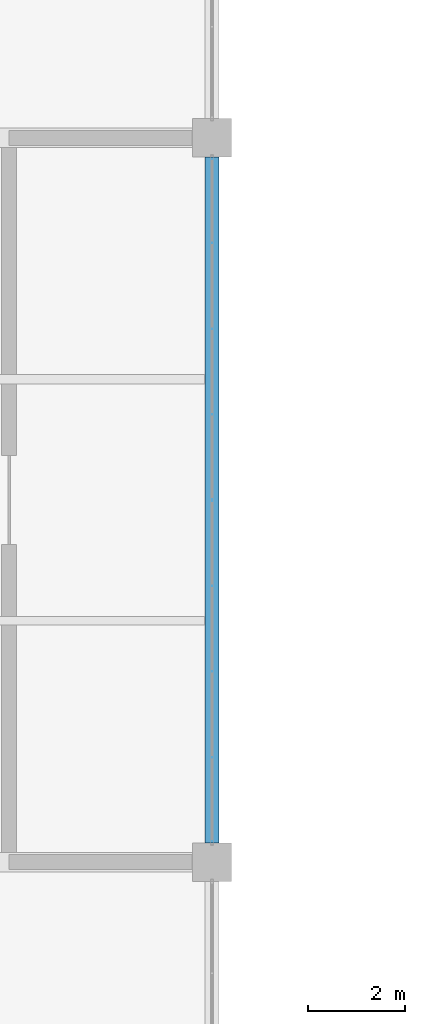
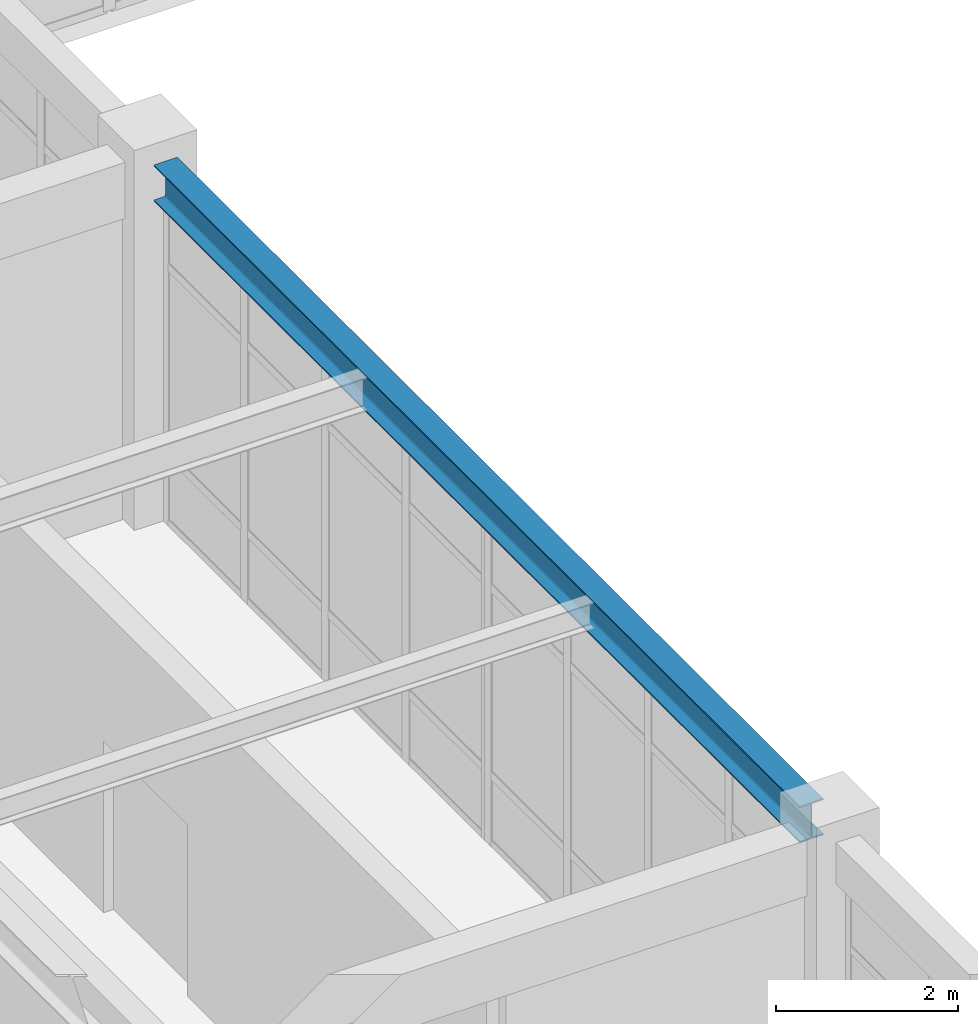
# One storey, part 42 of 96: 1 beam.
"""IFC4 building model written with IfcOpenShell, lengths in metres."""

from ifc_helpers import new_model, si_unit, derived_unit, direction, frame, origin, origin_2d, place, context, subcontext, project, spatial, i_section, extrude, material, material_profile, profile_set, type_object, element, save


model = new_model("IFC4")

# Units and contexts
model_context = context("Model", 3, precision=1e-05, world=origin(), true_north=direction((0.0, 1.0)))
body_context = subcontext(model_context, "Body", "Model", "MODEL_VIEW")
ifc_project = project(units=[si_unit("LENGTHUNIT", "METRE"), si_unit("AREAUNIT", "SQUARE_METRE"), si_unit("VOLUMEUNIT", "CUBIC_METRE"), si_unit("PLANEANGLEUNIT", "RADIAN"), si_unit("MASSUNIT", "GRAM", prefix="KILO"), derived_unit("THERMALTRANSMITTANCEUNIT", [(si_unit("MASSUNIT", "GRAM", prefix="KILO"), 1), (si_unit("TIMEUNIT", "SECOND"), -3), (si_unit("THERMODYNAMICTEMPERATUREUNIT", "KELVIN"), -1)])], contexts=[model_context])

# Site, building, storey
site_placement = place(None, origin())
site = spatial("IfcSite", under=ifc_project, at=site_placement, CompositionType="ELEMENT")
building_placement = place(site_placement, origin())
building = spatial("IfcBuilding", under=site, at=building_placement, Name="Qinzheling Arcade Emporium", CompositionType="ELEMENT")
storey_placement = place(building_placement, frame((0.0, 0.0, 21.60009765625)))
storey = spatial("IfcBuildingStorey", under=building, at=storey_placement, Name="L05", CompositionType="ELEMENT", Elevation=21.60009765625)

# Beam
ifc_material = material(Name="Structural steel Q355B", Category="steel")
ifc_material_profile = material_profile(ifc_material, i_section(OverallWidth=0.300048828125, OverallDepth=0.488037109375, WebThickness=0.010986328125, FlangeThickness=0.01806640625, FilletRadius=0.02197265625, at=origin_2d()), Name="HM 488x300x11x18", Category="steel")
ifc_profile_set = profile_set([ifc_material_profile], Name="Structural steel Q355B")
beam_type = type_object("IfcBeamType", Name="Atrium Bridge Girder HM488 Q355B", PredefinedType="USERDEFINED", material=ifc_profile_set)
beam_placement = place(storey_placement, frame((104.39990234375, 50.800048828125, 4.575927734375), z_axis=(0.0, 1.0, 0.0), x_axis=(-1.0, 0.0, 0.0)))
element("IfcBeam", 1, at=beam_placement, inside=storey, type_object=beam_type, Name="Beam BM-L05-Y-13-G", ObjectType="TRANSFER_GIRDER", PredefinedType="USERDEFINED", context=body_context, shape_type="SweptSolid", body=[
    extrude(i_section(OverallWidth=0.300048828125, OverallDepth=0.488037109375, WebThickness=0.010986328125, FlangeThickness=0.01806640625, FilletRadius=0.02197265625, at=origin_2d()), origin(), (0.0, 0.0, 1.0), 14.199951171875),
])

save(model, "model.ifc")
